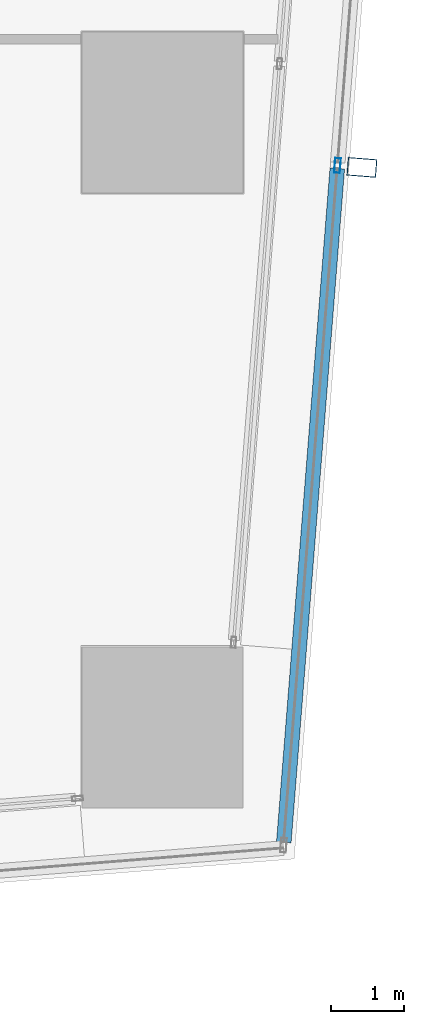
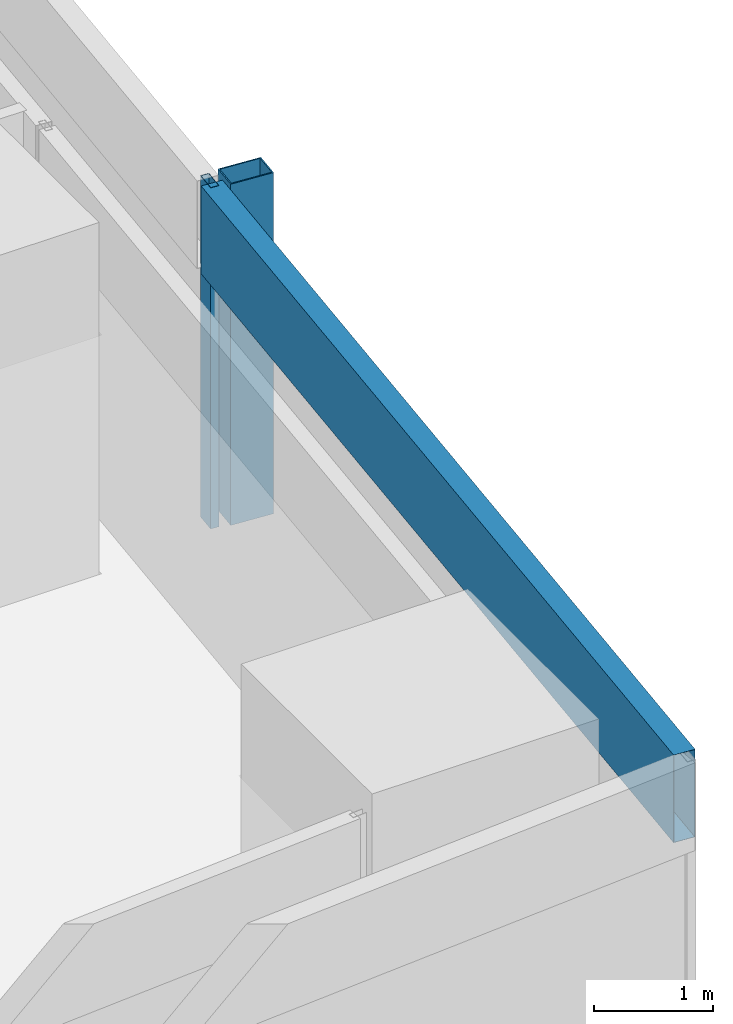
# One storey, part 25 of 42: 3 members, 1 element without a shape of its own.
"""IFC4 building model written with IfcOpenShell, lengths in metres."""

import ifcopenshell
import ifcopenshell.guid

model = None  # the IFC model being written
_history = None  # IfcOwnerHistory: only IFC2X3 demands one
_inside = {}  # id of a spatial element -> (the spatial element, [elements in it])
_under = {}  # id of a project, library or spatial element -> (it, [spatial elements below it])
_declared = {}  # id of a project -> (the project, [libraries it declares])
_typed = {}  # id of a type object -> (the type object, [elements of that type])
_made_of = {}  # id of a material, layer set ... -> (it, [elements and type objects made of it])


def new_model(schema):
    """Start an empty IFC model of exactly this schema.

    Asked for "IFC4X3", IfcOpenShell would pick the latest addendum, in which some entities
    have other attributes; the version numbers below select the first issue.
    IFC2X3 requires an IfcOwnerHistory on every rooted entity: one is made here for all.
    """
    global model, _history
    if schema == "IFC4X3":
        model = ifcopenshell.file(schema_version=(4, 3, 0, 0))
    else:
        model = ifcopenshell.file(schema=schema)
    _inside.clear()
    _under.clear()
    _declared.clear()
    _typed.clear()
    _made_of.clear()
    _history = None
    if model.schema == "IFC2X3":
        org = make("IfcOrganization", Name="unknown")
        user = make(
            "IfcPersonAndOrganization",
            ThePerson=make("IfcPerson", FamilyName="unknown"),
            TheOrganization=org,
        )
        app = make(
            "IfcApplication",
            ApplicationDeveloper=org,
            Version="unknown",
            ApplicationFullName="unknown",
            ApplicationIdentifier="unknown",
        )
        _history = make(
            "IfcOwnerHistory",
            OwningUser=user,
            OwningApplication=app,
            ChangeAction="ADDED",
            CreationDate=0,
        )
    return model


def make(cls, **values):
    """One entity of the class cls with the attributes given. An attribute that is None is left unset."""
    return model.create_entity(
        cls, **{name: value for name, value in values.items() if value is not None}
    )


def rooted(cls, **values):
    """An entity with a GlobalId (a new one), such as an element, a storey or a relation."""
    return make(cls, GlobalId=ifcopenshell.guid.new(), OwnerHistory=_history, **values)


def si_unit(unit_type, name, prefix=None):
    """IfcSIUnit, for example si_unit("LENGTHUNIT", "METRE", prefix="MILLI")."""
    return make("IfcSIUnit", UnitType=unit_type, Prefix=prefix, Name=name)


def assignment(units):
    """IfcUnitAssignment: the units of a project."""
    return None if units is None else make("IfcUnitAssignment", Units=units)


def point(xyz):
    """IfcCartesianPoint."""
    return None if xyz is None else make("IfcCartesianPoint", Coordinates=xyz)


def direction(xyz):
    """IfcDirection."""
    return None if xyz is None else make("IfcDirection", DirectionRatios=xyz)


def frame(location, z_axis=None, x_axis=None):
    """IfcAxis2Placement3D, a coordinate frame: its origin and axes. An axis left out is left unset."""
    return make(
        "IfcAxis2Placement3D",
        Location=point(location),
        Axis=direction(z_axis),
        RefDirection=direction(x_axis),
    )


def frame_2d(location, x_axis=None):
    """IfcAxis2Placement2D, a coordinate frame in the plane: its origin and x axis."""
    return make(
        "IfcAxis2Placement2D", Location=point(location), RefDirection=direction(x_axis)
    )


def origin():
    """The frame at (0, 0, 0) with its axes left unset."""
    return frame((0.0, 0.0, 0.0))


def origin_2d():
    """The frame at (0, 0) in the plane with its x axis left unset."""
    return frame_2d((0.0, 0.0))


def place(relative_to, where):
    """IfcLocalPlacement: puts the frame where relative to a parent placement (None: the world)."""
    return make(
        "IfcLocalPlacement", PlacementRelTo=relative_to, RelativePlacement=where
    )


def context(
    kind, dimensions, precision=None, world=None, true_north=None, identifier=None
):
    """IfcGeometricRepresentationContext, for example the 3D "Model" context."""
    return make(
        "IfcGeometricRepresentationContext",
        ContextIdentifier=identifier,
        ContextType=kind,
        CoordinateSpaceDimension=dimensions,
        Precision=precision,
        WorldCoordinateSystem=world,
        TrueNorth=true_north,
    )


def subcontext(parent, identifier, kind, view, scale=None):
    """IfcGeometricRepresentationSubContext, for example "Body" below "Model"."""
    return make(
        "IfcGeometricRepresentationSubContext",
        ContextIdentifier=identifier,
        ContextType=kind,
        ParentContext=parent,
        TargetScale=scale,
        TargetView=view,
    )


def project(units=None, contexts=None):
    """IfcProject with its units and contexts."""
    return rooted(
        "IfcProject",
        Name="project",
        RepresentationContexts=contexts,
        UnitsInContext=assignment(units),
    )


def spatial(cls, under=None, at=None, **own):
    """A site, building, storey or space (cls), placed at a placement, below another one or the project."""
    s = rooted(cls, ObjectPlacement=at, **own)
    if under is not None:
        _under.setdefault(under.id(), (under, []))[1].append(s)
    return s


def profile(cls, at=None, kind="AREA", **sizes):
    """A parametric profile (cls). Its sizes go by their IFC names, for example OverallWidth=200.0."""
    return make(cls, ProfileType=kind, Position=at, **sizes)


def hollow_rectangle(**sizes):
    """IfcRectangleHollowProfileDef."""
    return profile("IfcRectangleHollowProfileDef", **sizes)


def extrude(swept, where, along, depth):
    """IfcExtrudedAreaSolid: the profile swept, set in the frame where, extruded along a direction by depth."""
    return make(
        "IfcExtrudedAreaSolid",
        SweptArea=swept,
        Position=where,
        ExtrudedDirection=direction(along),
        Depth=depth,
    )


def shape(context_of_items, identifier, shape_type, items):
    """IfcShapeRepresentation: the items that make up one representation, for example the "Body"."""
    return make(
        "IfcShapeRepresentation",
        ContextOfItems=context_of_items,
        RepresentationIdentifier=identifier,
        RepresentationType=shape_type,
        Items=items,
    )


def material(Name=None, Category=None):
    """IfcMaterial."""
    return make("IfcMaterial", Name=Name, Category=Category)


def material_profile(
    of_material, cross_section, Name=None, Category=None, Priority=None
):
    """IfcMaterialProfile: a cross section and its material."""
    return make(
        "IfcMaterialProfile",
        Name=Name,
        Material=of_material,
        Profile=cross_section,
        Priority=Priority,
        Category=Category,
    )


def profile_set(profiles, Name=None, composite=None):
    """IfcMaterialProfileSet."""
    return make(
        "IfcMaterialProfileSet",
        Name=Name,
        MaterialProfiles=profiles,
        CompositeProfile=composite,
    )


def made_of(thing, what):
    """Note that an element or type object is made of a material, layer set ...; save() writes the relation."""
    if what is not None:
        _made_of.setdefault(what.id(), (what, []))[1].append(thing)
    return thing


def type_object(cls, material=None, **own):
    """A type object (cls), such as IfcWallType, which elements share."""
    return made_of(rooted(cls, **own), material)


def element(
    cls,
    number,
    at=None,
    inside=None,
    cuts=None,
    type_object=None,
    material=None,
    context=None,
    identifier="Body",
    shape_type=None,
    held_by="IfcProductDefinitionShape",
    body=None,
    shapes=None,
    **own,
):
    """One element of the class cls, such as IfcWall. Its Tag is "e" and its number.

    at: its placement. inside: the storey or other place that contains it. cuts: it is an
    opening in that element (IfcRelVoidsElement). A single representation is given by context,
    identifier, shape_type and body (its items); several are given by shapes. held_by: the class
    of the entity that holds the representations. save() writes the other relations.
    """
    e = rooted(cls, Tag="e%d" % number, ObjectPlacement=at, **own)
    if body is not None:
        shapes = [shape(context, identifier, shape_type, body)]
    if shapes is not None:
        e.Representation = make(held_by, Representations=shapes)
    if inside is not None:
        _inside.setdefault(inside.id(), (inside, []))[1].append(e)
    if cuts is not None:
        rooted(
            "IfcRelVoidsElement", RelatingBuildingElement=cuts, RelatedOpeningElement=e
        )
    if type_object is not None:
        _typed.setdefault(type_object.id(), (type_object, []))[1].append(e)
    return made_of(e, material)


def aggregate(whole, parts):
    """IfcRelAggregates: a whole, such as a stair, and the parts it consists of."""
    return rooted("IfcRelAggregates", RelatingObject=whole, RelatedObjects=parts)


def save(model, path):
    """Write the relations noted so far, then the file.

    IfcRelAggregates (storeys below a building ...), IfcRelContainedInSpatialStructure (elements
    in a storey), IfcRelDefinesByType, IfcRelAssociatesMaterial and IfcRelDeclares: one each for
    every whole, place, type object, material and project.
    """
    for whole, parts in _under.values():
        aggregate(whole, parts)
    for where, things in _inside.values():
        rooted(
            "IfcRelContainedInSpatialStructure",
            RelatedElements=things,
            RelatingStructure=where,
        )
    for kind, things in _typed.values():
        rooted("IfcRelDefinesByType", RelatedObjects=things, RelatingType=kind)
    for what, things in _made_of.values():
        rooted("IfcRelAssociatesMaterial", RelatedObjects=things, RelatingMaterial=what)
    for by, libraries in _declared.values():
        rooted("IfcRelDeclares", RelatingContext=by, RelatedDefinitions=libraries)
    model.write(path)


model = new_model("IFC4")

# Units and contexts
model_context = context("Model", 3, precision=1e-05, world=origin(), true_north=direction((0.0, 1.0)))
body_context = subcontext(model_context, "Body", "Model", "MODEL_VIEW")
ifc_project = project(units=[si_unit("LENGTHUNIT", "METRE"), si_unit("AREAUNIT", "SQUARE_METRE"), si_unit("VOLUMEUNIT", "CUBIC_METRE"), si_unit("PLANEANGLEUNIT", "RADIAN"), si_unit("MASSUNIT", "GRAM", prefix="KILO")], contexts=[model_context])

# Site, building, storey
site_placement = place(None, origin())
site = spatial("IfcSite", under=ifc_project, at=site_placement, CompositionType="ELEMENT")
building_placement = place(site_placement, origin())
building = spatial("IfcBuilding", under=site, at=building_placement, Name="Rekha Terrace Tower", CompositionType="ELEMENT")
storey_placement = place(building_placement, frame((0.0, 0.0, 40.39990234375)))
storey = spatial("IfcBuildingStorey", under=building, at=storey_placement, Name="L09", CompositionType="ELEMENT", Elevation=40.39990234375)

# Curtain wall, members
ifc_material_1 = material(Name="Aluminium framing", Category="aluminium")
curtain_wall_type = type_object("IfcCurtainWallType", Name="CW2 double skin outer glazing", PredefinedType="USERDEFINED", material=ifc_material_1)
curtain_wall_placement = place(storey_placement, origin())
curtain_wall = element("IfcCurtainWall", 1, at=curtain_wall_placement, inside=storey, type_object=curtain_wall_type, Name="CW2 double skin outer glazing", ObjectType="DOUBLE SKIN OUTER GLAZING", PredefinedType="USERDEFINED")
ifc_material_2 = material(Name="Steel S355 with fluorocarbon finish", Category="steel")
ifc_material_profile_1 = material_profile(ifc_material_2, hollow_rectangle(XDim=0.25, YDim=0.39990234375, WallThickness=0.012451171875, at=origin_2d()), Name="RHS400x250x12.5")
ifc_profile_set_1 = profile_set([ifc_material_profile_1], Name="Steel S355 with fluorocarbon finish")
member_type_1 = type_object("IfcMemberType", Name="BL1 facade blade RHS 400 x 250", PredefinedType="USERDEFINED", material=ifc_profile_set_1)
member_1_placement = place(storey_placement, frame((69.925537109375, 16.04931640625, 0.0), z_axis=(0.0, 0.0, 1.0), x_axis=(0.079116779322, 0.996865354614, 0.0)))
member_1 = element("IfcMember", 2, at=member_1_placement, type_object=member_type_1, Name="Facade blade", ObjectType="FACADE BLADE", PredefinedType="USERDEFINED", context=body_context, shape_type="SweptSolid", body=[
    extrude(hollow_rectangle(XDim=0.25, YDim=0.39990234375, WallThickness=0.012451171875, at=origin_2d()), origin(), (0.0, 0.0, 1.0), 3.5),
])
ifc_material_3 = material(Name="Aluminium mullion section", Category="aluminium")
ifc_material_profile_2 = material_profile(ifc_material_3, hollow_rectangle(XDim=0.080078125, YDim=0.199951171875, WallThickness=0.00390625, at=origin_2d()), Name="AL RHS 80x200")
ifc_profile_set_2 = profile_set([ifc_material_profile_2], Name="Aluminium mullion section")
member_type_2 = type_object("IfcMemberType", Name="CW2 mullion RHS 80 x 200", PredefinedType="MULLION", material=ifc_profile_set_2)
member_2_placement = place(storey_placement, frame((69.591552734375, 16.07568359375, 0.0), z_axis=(0.0, 0.0, 1.0), x_axis=(-0.996865392578, 0.079116300982, 0.0)))
member_2 = element("IfcMember", 3, at=member_2_placement, type_object=member_type_2, Name="CW2 mullion 2", PredefinedType="MULLION", context=body_context, shape_type="SweptSolid", body=[
    extrude(hollow_rectangle(XDim=0.080078125, YDim=0.199951171875, WallThickness=0.00390625, at=origin_2d()), origin(), (0.0, 0.0, 1.0), 3.5),
])
ifc_material_4 = material(Name="Insulated aluminium spandrel box", Category="aluminium")
ifc_material_profile_3 = material_profile(ifc_material_4, hollow_rectangle(XDim=0.199951171875, YDim=0.89990234375, WallThickness=0.0029296875, at=origin_2d()), Name="AL SPANDREL BOX 200x900")
ifc_profile_set_3 = profile_set([ifc_material_profile_3], Name="Insulated aluminium spandrel box")
member_type_3 = type_object("IfcMemberType", Name="CW2 spandrel transom 200 x 900", PredefinedType="USERDEFINED", material=ifc_profile_set_3)
member_3_placement = place(storey_placement, frame((68.857666015625, 6.828369140625, 3.050048828125), z_axis=(0.079111714731, 0.996865756555, 0.0), x_axis=(-0.996865756555, 0.079111714731, 0.0)))
member_3 = element("IfcMember", 4, at=member_3_placement, type_object=member_type_3, Name="CW2 spandrel transom 1", ObjectType="TRANSOM", PredefinedType="USERDEFINED", context=body_context, shape_type="SweptSolid", body=[
    extrude(hollow_rectangle(XDim=0.199951171875, YDim=0.89990234375, WallThickness=0.0029296875, at=origin_2d()), origin(), (0.0, 0.0, 1.0), 9.236572265625),
])
aggregate(curtain_wall, [member_2, member_3, member_1])

save(model, "model.ifc")
